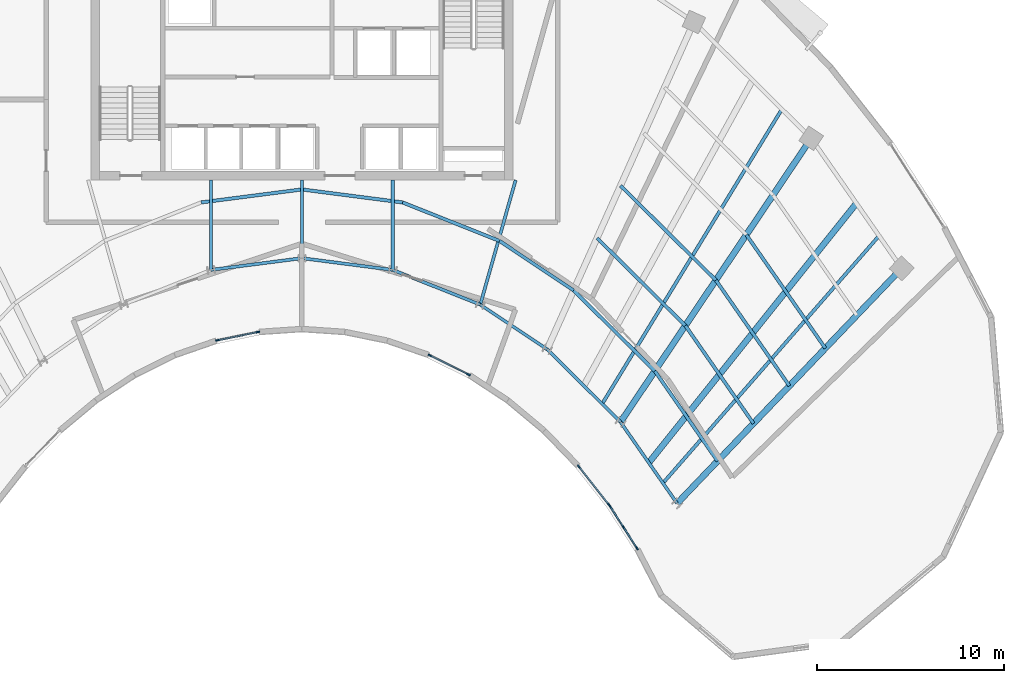
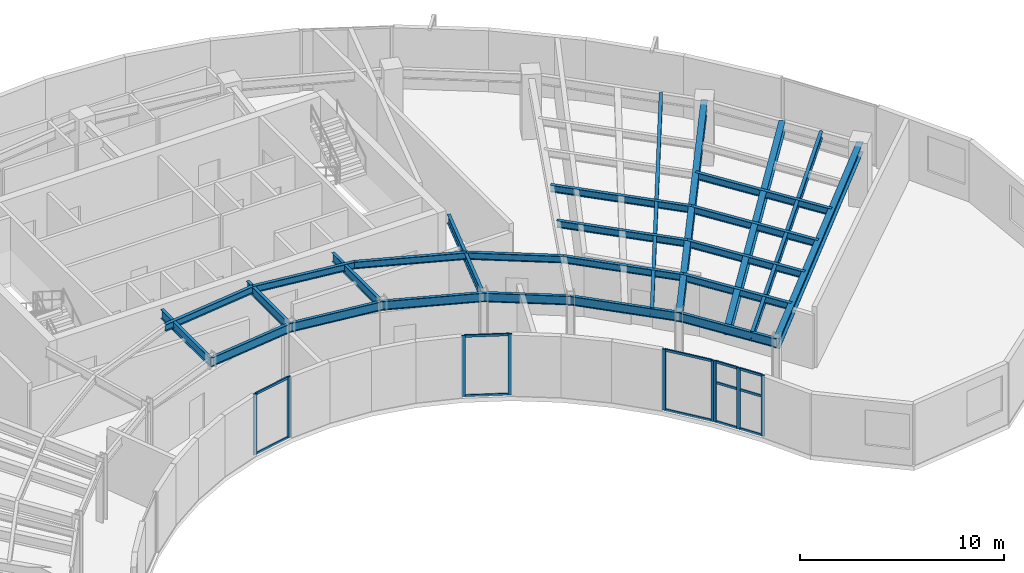
# One storey, part 3 of 13: 26 beams, 21 members, 4 elements without a shape of their own.
"""IFC4 building model written with IfcOpenShell, lengths in metres."""

from ifc_helpers import new_model, si_unit, direction, frame, origin, origin_2d, place, context, subcontext, project, spatial, rectangle, i_section, extrude, source, transform, mapped, material, layer, layer_set, material_profile, profile_set, type_object, type_shapes, element, aggregate, save


model = new_model("IFC4")

# Units and contexts
model_context = context("Model", 3, precision=1e-05, world=origin(), true_north=direction((0.0, 1.0)))
body_context = subcontext(model_context, "Body", "Model", "MODEL_VIEW")
ifc_project = project(units=[si_unit("LENGTHUNIT", "METRE"), si_unit("AREAUNIT", "SQUARE_METRE"), si_unit("VOLUMEUNIT", "CUBIC_METRE"), si_unit("PLANEANGLEUNIT", "RADIAN"), si_unit("MASSUNIT", "GRAM", prefix="KILO")], contexts=[model_context])

# Site, building, storey
site_placement = place(None, origin())
site = spatial("IfcSite", under=ifc_project, at=site_placement, CompositionType="ELEMENT")
building_placement = place(site_placement, origin())
building = spatial("IfcBuilding", under=site, at=building_placement, Name="Breltana Convention Tower", CompositionType="ELEMENT")
storey_placement = place(building_placement, frame((0.0, 0.0, 227.39990234375)))
storey = spatial("IfcBuildingStorey", under=building, at=storey_placement, Name="L55", CompositionType="ELEMENT", Elevation=227.39990234375)

# Beams
ifc_material_1 = material(Name="Steel ASTM A992 Grade 50", Category="steel")
ifc_material_profile_1 = material_profile(ifc_material_1, i_section(OverallWidth=0.179931640625, OverallDepth=0.4130859375, WebThickness=0.009765625, FlangeThickness=0.01611328125, at=origin_2d()), Name="W16X50")
ifc_profile_set_1 = profile_set([ifc_material_profile_1], Name="Steel ASTM A992 Grade 50")
beam_type_1 = type_object("IfcBeamType", Name="BM-JSG-08", PredefinedType="JOIST", material=ifc_profile_set_1)
shared_shape_1 = source(origin(), body_context, "Body", "SweptSolid", [
    extrude(i_section(OverallWidth=0.179931640625, OverallDepth=0.4130859375, WebThickness=0.009765625, FlangeThickness=0.01611328125, at=origin_2d()), origin(), (0.0, 0.0, 1.0), 18.409423828125),
])
beam_1_placement = place(storey_placement, frame((64.017333984375, 48.263916015625, 3.443603515625), z_axis=(0.520682167606, 0.853750596098, 0.0), x_axis=(-0.853750596098, 0.520682167606, 0.0)))
element("IfcBeam", 1, at=beam_1_placement, inside=storey, type_object=beam_type_1, Name="L55 Quarter-Bay Radial Trimmer 09", PredefinedType="JOIST", context=body_context, shape_type="MappedRepresentation", body=[
    mapped(shared_shape_1, transform((0.0, 0.0, 0.0), scale=1.0)),
])
ifc_material_profile_2 = material_profile(ifc_material_1, i_section(OverallWidth=0.323974609375, OverallDepth=0.611083984375, WebThickness=0.0126953125, FlangeThickness=0.01904296875, at=origin_2d()), Name="W24X104")
ifc_profile_set_2 = profile_set([ifc_material_profile_2], Name="Steel ASTM A992 Grade 50")
beam_type_2 = type_object("IfcBeamType", Name="BM-JSG-01", PredefinedType="JOIST", material=ifc_profile_set_2)
shared_shape_2 = source(origin(), body_context, "Body", "SweptSolid", [
    extrude(i_section(OverallWidth=0.323974609375, OverallDepth=0.611083984375, WebThickness=0.0126953125, FlangeThickness=0.01904296875, at=origin_2d()), origin(), (0.0, 0.0, 1.0), 17.7236328125),
])
beam_2_placement = place(storey_placement, frame((66.505615234375, 45.124267578125, 3.344482421875), z_axis=(0.624829427563, 0.78076128647, 0.0), x_axis=(-0.78076128647, 0.624829427563, 0.0)))
element("IfcBeam", 2, at=beam_2_placement, inside=storey, type_object=beam_type_2, Name="L55 Mid-Bay Radial Trimmer 10", PredefinedType="JOIST", context=body_context, shape_type="MappedRepresentation", body=[
    mapped(shared_shape_2, transform((0.0, 0.0, 0.0), scale=1.0)),
])
shared_shape_3 = source(origin(), body_context, "Body", "SweptSolid", [
    extrude(i_section(OverallWidth=0.179931640625, OverallDepth=0.4130859375, WebThickness=0.009765625, FlangeThickness=0.01611328125, at=origin_2d()), origin(), (0.0, 0.0, 1.0), 17.515625),
])
beam_3_placement = place(storey_placement, frame((67.260498046875, 44.03955078125, 3.443603515625), z_axis=(0.658051548324, 0.752972881151, 0.0), x_axis=(-0.752972881151, 0.658051548324, 0.0)))
element("IfcBeam", 3, at=beam_3_placement, inside=storey, type_object=beam_type_1, Name="L55 Quarter-Bay Radial Trimmer 10", PredefinedType="JOIST", context=body_context, shape_type="MappedRepresentation", body=[
    mapped(shared_shape_3, transform((0.0, 0.0, 0.0), scale=1.0)),
])
ifc_material_profile_3 = material_profile(ifc_material_1, i_section(OverallWidth=0.166015625, OverallDepth=0.534912109375, WebThickness=0.01025390625, FlangeThickness=0.0166015625, at=origin_2d()), Name="W21X57")
ifc_profile_set_3 = profile_set([ifc_material_profile_3], Name="Steel ASTM A992 Grade 50")
beam_type_3 = type_object("IfcBeamType", Name="BM-BM-W21X57", PredefinedType="BEAM", material=ifc_profile_set_3)
shared_shape_4 = source(origin(), body_context, "Body", "SweptSolid", [
    extrude(i_section(OverallWidth=0.166015625, OverallDepth=0.534912109375, WebThickness=0.01025390625, FlangeThickness=0.0166015625, at=origin_2d()), origin(), (0.0, 0.0, 1.0), 6.904541015625),
])
type_shapes(beam_type_3, [shared_shape_4])
beam_4_placement = place(storey_placement, frame((59.39990234375, 60.199951171875, 3.382568359375), z_axis=(-0.273006781054, -0.962012108811, 0.0), x_axis=(0.962012108811, -0.273006781054, 0.0)))
element("IfcBeam", 4, at=beam_4_placement, inside=storey, type_object=beam_type_3, Name="L55 South Core Tie Girder R08", PredefinedType="BEAM", context=body_context, shape_type="MappedRepresentation", body=[
    mapped(shared_shape_4, transform((0.0, 0.0, 0.0), scale=1.0)),
])
shared_shape_5 = source(origin(), body_context, "Body", "SweptSolid", [
    extrude(i_section(OverallWidth=0.166015625, OverallDepth=0.534912109375, WebThickness=0.01025390625, FlangeThickness=0.0166015625, at=origin_2d()), origin(), (0.0, 0.0, 1.0), 4.789306640625),
])
for number, where, z_axis, x_axis, name in (
    (5, (43.153564453125, 60.199951171875, 3.382568359375), (0.0, -1.0, 0.0), (1.0, 0.0, 0.0), "L55 South Core Tie Girder R05"),
    (6, (52.846435546875, 60.199951171875, 3.382568359375), (0.0, -1.0, 0.0), (1.0, 0.0, 0.0), "L55 South Core Tie Girder R07"),
):
    element("IfcBeam", number, at=place(storey_placement, frame(where, z_axis=z_axis, x_axis=x_axis)), inside=storey, type_object=beam_type_3, Name=name, PredefinedType="BEAM", context=body_context, shape_type="MappedRepresentation", body=[
        mapped(shared_shape_5, transform((0.0, 0.0, 0.0), scale=1.0)),
    ])
shared_shape_6 = source(origin(), body_context, "Body", "SweptSolid", [
    extrude(i_section(OverallWidth=0.166015625, OverallDepth=0.534912109375, WebThickness=0.01025390625, FlangeThickness=0.0166015625, at=origin_2d()), origin(), (0.0, 0.0, 1.0), 4.1640625),
])
beam_5_placement = place(storey_placement, frame((48.0, 60.199951171875, 3.382568359375), z_axis=(0.0, -1.0, 0.0), x_axis=(1.0, 0.0, 0.0)))
element("IfcBeam", 7, at=beam_5_placement, inside=storey, type_object=beam_type_3, Name="L55 South Core Tie Girder R06", PredefinedType="BEAM", context=body_context, shape_type="MappedRepresentation", body=[
    mapped(shared_shape_6, transform((0.0, 0.0, 0.0), scale=1.0)),
])
shared_shape_7 = source(origin(), body_context, "Body", "SweptSolid", [
    extrude(i_section(OverallWidth=0.166015625, OverallDepth=0.534912109375, WebThickness=0.01025390625, FlangeThickness=0.0166015625, at=origin_2d()), origin(), (0.0, 0.0, 1.0), 5.022705078125),
])
beam_6_placement = place(storey_placement, frame((52.846435546875, 55.41064453125, 3.382568359375), z_axis=(0.929458966248, -0.368925507469, 0.0), x_axis=(0.368925507469, 0.929458966248, 0.0)))
element("IfcBeam", 8, at=beam_6_placement, inside=storey, type_object=beam_type_3, Name="L55 Inner Ring Beam 07", PredefinedType="BEAM", context=body_context, shape_type="MappedRepresentation", body=[
    mapped(shared_shape_7, transform((0.0, 0.0, 0.0), scale=1.0)),
])
shared_shape_8 = source(origin(), body_context, "Body", "SweptSolid", [
    extrude(i_section(OverallWidth=0.166015625, OverallDepth=0.534912109375, WebThickness=0.01025390625, FlangeThickness=0.0166015625, at=origin_2d()), origin(), (0.0, 0.0, 1.0), 4.88671875),
])
for number, where, z_axis, x_axis, name in (
    (9, (43.153564453125, 55.41064453125, 3.382568359375), (0.991780525565, 0.127950729231, 0.0), (-0.127950729231, 0.991780525565, 0.0), "L55 Inner Ring Beam 05"),
    (10, (48.0, 56.035888671875, 3.382568359375), (0.991780525565, -0.127950729231, 0.0), (0.127950729231, 0.991780525565, 0.0), "L55 Inner Ring Beam 06"),
):
    element("IfcBeam", number, at=place(storey_placement, frame(where, z_axis=z_axis, x_axis=x_axis)), inside=storey, type_object=beam_type_3, Name=name, PredefinedType="BEAM", context=body_context, shape_type="MappedRepresentation", body=[
        mapped(shared_shape_8, transform((0.0, 0.0, 0.0), scale=1.0)),
    ])
shared_shape_9 = source(origin(), body_context, "Body", "SweptSolid", [
    extrude(i_section(OverallWidth=0.166015625, OverallDepth=0.534912109375, WebThickness=0.01025390625, FlangeThickness=0.0166015625, at=origin_2d()), origin(), (0.0, 0.0, 1.0), 4.2900390625),
])
beam_7_placement = place(storey_placement, frame((57.514892578125, 53.5576171875, 3.382568359375), z_axis=(0.831515827753, -0.555501060482, 0.0), x_axis=(0.555501060482, 0.831515827753, 0.0)))
element("IfcBeam", 11, at=beam_7_placement, inside=storey, type_object=beam_type_3, Name="L55 Inner Ring Beam 08", PredefinedType="BEAM", context=body_context, shape_type="MappedRepresentation", body=[
    mapped(shared_shape_9, transform((0.0, 0.0, 0.0), scale=1.0)),
])
shared_shape_10 = source(origin(), body_context, "Body", "SweptSolid", [
    extrude(i_section(OverallWidth=0.166015625, OverallDepth=0.534912109375, WebThickness=0.01025390625, FlangeThickness=0.0166015625, at=origin_2d()), origin(), (0.0, 0.0, 1.0), 5.51171875),
])
beam_8_placement = place(storey_placement, frame((61.08203125, 51.174560546875, 3.382568359375), z_axis=(0.710090360749, -0.704110559196, 0.0), x_axis=(0.704110559196, 0.710090360749, 0.0)))
element("IfcBeam", 12, at=beam_8_placement, inside=storey, type_object=beam_type_3, Name="L55 Inner Ring Beam 09", PredefinedType="BEAM", context=body_context, shape_type="MappedRepresentation", body=[
    mapped(shared_shape_10, transform((0.0, 0.0, 0.0), scale=1.0)),
])
shared_shape_11 = source(origin(), body_context, "Body", "SweptSolid", [
    extrude(i_section(OverallWidth=0.166015625, OverallDepth=0.534912109375, WebThickness=0.01025390625, FlangeThickness=0.0166015625, at=origin_2d()), origin(), (0.0, 0.0, 1.0), 5.286376953125),
])
beam_9_placement = place(storey_placement, frame((64.995849609375, 47.293701171875, 3.382568359375), z_axis=(0.571194382458, -0.82081482531, 0.0), x_axis=(0.82081482531, 0.571194382458, 0.0)))
element("IfcBeam", 13, at=beam_9_placement, inside=storey, type_object=beam_type_3, Name="L55 Inner Ring Beam 10", PredefinedType="BEAM", context=body_context, shape_type="MappedRepresentation", body=[
    mapped(shared_shape_11, transform((0.0, 0.0, 0.0), scale=1.0)),
])
ifc_material_profile_4 = material_profile(ifc_material_1, i_section(OverallWidth=0.326904296875, OverallDepth=0.6220703125, WebThickness=0.015380859375, FlangeThickness=0.0244140625, at=origin_2d()), Name="W24X131")
ifc_profile_set_4 = profile_set([ifc_material_profile_4], Name="Steel ASTM A992 Grade 50")
beam_type_4 = type_object("IfcBeamType", Name="BM-RG-W24X131", PredefinedType="USERDEFINED", material=ifc_profile_set_4)
shared_shape_12 = source(origin(), body_context, "Body", "SweptSolid", [
    extrude(i_section(OverallWidth=0.326904296875, OverallDepth=0.6220703125, WebThickness=0.015380859375, FlangeThickness=0.0244140625, at=origin_2d()), origin(), (0.0, 0.0, 1.0), 17.341064453125),
])
type_shapes(beam_type_4, [shared_shape_12])
beam_10_placement = place(storey_placement, frame((68.015380859375, 42.95458984375, 3.339111328125), z_axis=(0.690716462293, 0.723125693581, 0.0), x_axis=(-0.723125693581, 0.690716462293, 0.0)))
element("IfcBeam", 14, at=beam_10_placement, inside=storey, type_object=beam_type_4, Name="L55 Radial Floor Girder R11", ObjectType="GIRDER", PredefinedType="USERDEFINED", context=body_context, shape_type="MappedRepresentation", body=[
    mapped(shared_shape_12, transform((0.0, 0.0, 0.0), scale=1.0)),
])
shared_shape_13 = source(origin(), body_context, "Body", "SweptSolid", [
    extrude(i_section(OverallWidth=0.326904296875, OverallDepth=0.6220703125, WebThickness=0.015380859375, FlangeThickness=0.0244140625, at=origin_2d()), origin(), (0.0, 0.0, 1.0), 18.236328125),
])
beam_11_placement = place(storey_placement, frame((64.995849609375, 47.293701171875, 3.339111328125), z_axis=(0.557730360975, 0.830022195153, 0.0), x_axis=(-0.830022195153, 0.557730360975, 0.0)))
element("IfcBeam", 15, at=beam_11_placement, inside=storey, type_object=beam_type_4, Name="L55 Radial Floor Girder R10", ObjectType="GIRDER", PredefinedType="USERDEFINED", context=body_context, shape_type="MappedRepresentation", body=[
    mapped(shared_shape_13, transform((0.0, 0.0, 0.0), scale=1.0)),
])
shared_shape_14 = source(origin(), body_context, "Body", "SweptSolid", [
    extrude(i_section(OverallWidth=0.179931640625, OverallDepth=0.4130859375, WebThickness=0.009765625, FlangeThickness=0.01611328125, at=origin_2d()), origin(), (0.0, 0.0, 1.0), 5.563720703125),
])
beam_12_placement = place(storey_placement, frame((53.36865234375, 59.009521484375, 3.443603515625), z_axis=(0.929447960386, -0.368953234074, 0.0), x_axis=(0.368953234074, 0.929447960386, 0.0)))
element("IfcBeam", 16, at=beam_12_placement, inside=storey, type_object=beam_type_1, Name="L55 Composite Floor Joist 07.1", PredefinedType="JOIST", context=body_context, shape_type="MappedRepresentation", body=[
    mapped(shared_shape_14, transform((0.0, 0.0, 0.0), scale=1.0)),
])
shared_shape_15 = source(origin(), body_context, "Body", "SweptSolid", [
    extrude(i_section(OverallWidth=0.179931640625, OverallDepth=0.4130859375, WebThickness=0.009765625, FlangeThickness=0.01611328125, at=origin_2d()), origin(), (0.0, 0.0, 1.0), 5.4130859375),
])
for number, where, z_axis, x_axis, name in (
    (17, (42.63134765625, 59.009521484375, 3.443603515625), (0.991780266945, 0.127952733848, 0.0), (-0.127952733848, 0.991780266945, 0.0), "L55 Composite Floor Joist 05.1"),
    (18, (48.0, 59.7021484375, 3.443603515625), (0.991780266945, -0.127952733848, 0.0), (0.127952733848, 0.991780266945, 0.0), "L55 Composite Floor Joist 06.1"),
):
    element("IfcBeam", number, at=place(storey_placement, frame(where, z_axis=z_axis, x_axis=x_axis)), inside=storey, type_object=beam_type_1, Name=name, PredefinedType="JOIST", context=body_context, shape_type="MappedRepresentation", body=[
        mapped(shared_shape_15, transform((0.0, 0.0, 0.0), scale=1.0)),
    ])
shared_shape_16 = source(origin(), body_context, "Body", "SweptSolid", [
    extrude(i_section(OverallWidth=0.179931640625, OverallDepth=0.4130859375, WebThickness=0.009765625, FlangeThickness=0.01611328125, at=origin_2d()), origin(), (0.0, 0.0, 1.0), 4.751953125),
])
beam_13_placement = place(storey_placement, frame((58.539794921875, 56.956787109375, 3.443603515625), z_axis=(0.831528257555, -0.555482454167, 0.0), x_axis=(0.555482454167, 0.831528257555, 0.0)))
element("IfcBeam", 19, at=beam_13_placement, inside=storey, type_object=beam_type_1, Name="L55 Composite Floor Joist 08.1", PredefinedType="JOIST", context=body_context, shape_type="MappedRepresentation", body=[
    mapped(shared_shape_16, transform((0.0, 0.0, 0.0), scale=1.0)),
])
shared_shape_17 = source(origin(), body_context, "Body", "SweptSolid", [
    extrude(i_section(OverallWidth=0.179931640625, OverallDepth=0.4130859375, WebThickness=0.009765625, FlangeThickness=0.01611328125, at=origin_2d()), origin(), (0.0, 0.0, 1.0), 6.10546875),
])
beam_14_placement = place(storey_placement, frame((62.4912109375, 54.317138671875, 3.443603515625), z_axis=(0.710099489834, -0.704101352461, 0.0), x_axis=(0.704101352461, 0.710099489834, 0.0)))
element("IfcBeam", 20, at=beam_14_placement, inside=storey, type_object=beam_type_1, Name="L55 Composite Floor Joist 09.1", PredefinedType="JOIST", context=body_context, shape_type="MappedRepresentation", body=[
    mapped(shared_shape_17, transform((0.0, 0.0, 0.0), scale=1.0)),
])
shared_shape_18 = source(origin(), body_context, "Body", "SweptSolid", [
    extrude(i_section(OverallWidth=0.179931640625, OverallDepth=0.4130859375, WebThickness=0.009765625, FlangeThickness=0.01611328125, at=origin_2d()), origin(), (0.0, 0.0, 1.0), 6.63330078125),
])
beam_15_placement = place(storey_placement, frame((63.74365234375, 57.110595703125, 3.443603515625), z_axis=(0.710118361949, -0.704082319067, 0.0), x_axis=(0.704082319067, 0.710118361949, 0.0)))
element("IfcBeam", 21, at=beam_15_placement, inside=storey, type_object=beam_type_1, Name="L55 Composite Floor Joist 09.2", PredefinedType="JOIST", context=body_context, shape_type="MappedRepresentation", body=[
    mapped(shared_shape_18, transform((0.0, 0.0, 0.0), scale=1.0)),
])
shared_shape_19 = source(origin(), body_context, "Body", "SweptSolid", [
    extrude(i_section(OverallWidth=0.179931640625, OverallDepth=0.4130859375, WebThickness=0.009765625, FlangeThickness=0.01611328125, at=origin_2d()), origin(), (0.0, 0.0, 1.0), 7.160888671875),
])
beam_16_placement = place(storey_placement, frame((64.996337890625, 59.90380859375, 3.443603515625), z_axis=(0.71010064941, -0.704100183005, 0.0), x_axis=(0.704100183005, 0.71010064941, 0.0)))
element("IfcBeam", 22, at=beam_16_placement, inside=storey, type_object=beam_type_1, Name="L55 Composite Floor Joist 09.3", PredefinedType="JOIST", context=body_context, shape_type="MappedRepresentation", body=[
    mapped(shared_shape_19, transform((0.0, 0.0, 0.0), scale=1.0)),
])
shared_shape_20 = source(origin(), body_context, "Body", "SweptSolid", [
    extrude(i_section(OverallWidth=0.179931640625, OverallDepth=0.4130859375, WebThickness=0.009765625, FlangeThickness=0.01611328125, at=origin_2d()), origin(), (0.0, 0.0, 1.0), 5.855712890625),
])
beam_17_placement = place(storey_placement, frame((66.82666015625, 50.018310546875, 3.443603515625), z_axis=(0.571196411819, -0.8208134131, 0.0), x_axis=(0.8208134131, 0.571196411819, 0.0)))
element("IfcBeam", 23, at=beam_17_placement, inside=storey, type_object=beam_type_1, Name="L55 Composite Floor Joist 10.1", PredefinedType="JOIST", context=body_context, shape_type="MappedRepresentation", body=[
    mapped(shared_shape_20, transform((0.0, 0.0, 0.0), scale=1.0)),
])
shared_shape_21 = source(origin(), body_context, "Body", "SweptSolid", [
    extrude(i_section(OverallWidth=0.179931640625, OverallDepth=0.4130859375, WebThickness=0.009765625, FlangeThickness=0.01611328125, at=origin_2d()), origin(), (0.0, 0.0, 1.0), 6.36181640625),
])
beam_18_placement = place(storey_placement, frame((68.4541015625, 52.440185546875, 3.443603515625), z_axis=(0.5711859158, -0.820820717082, 0.0), x_axis=(0.820820717082, 0.5711859158, 0.0)))
element("IfcBeam", 24, at=beam_18_placement, inside=storey, type_object=beam_type_1, Name="L55 Composite Floor Joist 10.2", PredefinedType="JOIST", context=body_context, shape_type="MappedRepresentation", body=[
    mapped(shared_shape_21, transform((0.0, 0.0, 0.0), scale=1.0)),
])
shared_shape_22 = source(origin(), body_context, "Body", "SweptSolid", [
    extrude(i_section(OverallWidth=0.179931640625, OverallDepth=0.4130859375, WebThickness=0.009765625, FlangeThickness=0.01611328125, at=origin_2d()), origin(), (0.0, 0.0, 1.0), 6.867919921875),
])
beam_19_placement = place(storey_placement, frame((70.081298828125, 54.86181640625, 3.443603515625), z_axis=(0.571217582863, -0.820798679962, 0.0), x_axis=(0.820798679962, 0.571217582863, 0.0)))
element("IfcBeam", 25, at=beam_19_placement, inside=storey, type_object=beam_type_1, Name="L55 Composite Floor Joist 10.3", PredefinedType="JOIST", context=body_context, shape_type="MappedRepresentation", body=[
    mapped(shared_shape_22, transform((0.0, 0.0, 0.0), scale=1.0)),
])
shared_shape_23 = source(origin(), body_context, "Body", "SweptSolid", [
    extrude(i_section(OverallWidth=0.179931640625, OverallDepth=0.4130859375, WebThickness=0.009765625, FlangeThickness=0.01611328125, at=origin_2d()), origin(), (0.0, 0.0, 1.0), 7.374267578125),
])
beam_20_placement = place(storey_placement, frame((71.70849609375, 57.28369140625, 3.443603515625), z_axis=(0.571229379406, -0.820790470281, 0.0), x_axis=(0.820790470281, 0.571229379406, 0.0)))
element("IfcBeam", 26, at=beam_20_placement, inside=storey, type_object=beam_type_1, Name="L55 Composite Floor Joist 10.4", PredefinedType="JOIST", context=body_context, shape_type="MappedRepresentation", body=[
    mapped(shared_shape_23, transform((0.0, 0.0, 0.0), scale=1.0)),
])

# Curtain wall, members
ifc_material_2 = material(Name="Aluminium Anodised Bronze Frame", Category="aluminium")
ifc_layer = layer(ifc_material_2, 0.18994140625, Name="Aluminium Anodised Bronze Frame")
ifc_layer_set = layer_set([ifc_layer], Name="Aluminium Anodised Bronze Frame")
curtain_wall_type = type_object("IfcCurtainWallType", Name="CW-SYS-1", PredefinedType="NOTDEFINED", material=ifc_layer_set)
curtain_wall_1_placement = place(storey_placement, origin())
curtain_wall_1 = element("IfcCurtainWall", 27, at=curtain_wall_1_placement, inside=storey, type_object=curtain_wall_type, Name="L55 inner south-court glazing 1", PredefinedType="NOTDEFINED")
ifc_material_3 = material(Name="Aluminium Anodised Bronze", Category="aluminium")
ifc_material_profile_5 = material_profile(ifc_material_3, rectangle(XDim=0.080078125, YDim=0.199951171875, at=origin_2d()), Name="CWM-80X200")
ifc_profile_set_5 = profile_set([ifc_material_profile_5], Name="Aluminium Anodised Bronze")
member_type_1 = type_object("IfcMemberType", Name="CWM-200", PredefinedType="MULLION", material=ifc_profile_set_5)
shared_shape_24 = source(origin(), body_context, "Body", "SweptSolid", [
    extrude(rectangle(XDim=0.080078125, YDim=0.199951171875, at=origin_2d()), origin(), (0.0, 0.0, 1.0), 3.650146484375),
])
member_1_placement = place(storey_placement, frame((65.868896484375, 40.56884765625, 0.0), z_axis=(0.0, 0.0, 1.0), x_axis=(-0.841546766968, -0.540184263938, 0.0)))
member_1 = element("IfcMember", 28, at=member_1_placement, type_object=member_type_1, Name="CW-01 mullion 1", PredefinedType="MULLION", context=body_context, shape_type="MappedRepresentation", body=[
    mapped(shared_shape_24, transform((0.0, 0.0, 0.0), scale=1.0)),
])
member_2_placement = place(storey_placement, frame((65.14990234375, 41.689208984375, 0.0), z_axis=(0.0, 0.0, 1.0), x_axis=(-0.841546766968, -0.540184263938, 0.0)))
member_2 = element("IfcMember", 29, at=member_2_placement, type_object=member_type_1, Name="CW-01 mullion 2", PredefinedType="MULLION", context=body_context, shape_type="MappedRepresentation", body=[
    mapped(shared_shape_24, transform((0.0, 0.0, 0.0), scale=1.0)),
])
member_3_placement = place(storey_placement, frame((64.430908203125, 42.809326171875, 0.0), z_axis=(0.0, 0.0, 1.0), x_axis=(-0.841546766968, -0.540184263938, 0.0)))
member_3 = element("IfcMember", 30, at=member_3_placement, type_object=member_type_1, Name="CW-01 mullion 3", PredefinedType="MULLION", context=body_context, shape_type="MappedRepresentation", body=[
    mapped(shared_shape_24, transform((0.0, 0.0, 0.0), scale=1.0)),
])

curtain_wall_2_placement = place(storey_placement, origin())
curtain_wall_2 = element("IfcCurtainWall", 31, at=curtain_wall_2_placement, inside=storey, type_object=curtain_wall_type, Name="L55 inner south-court glazing 2", PredefinedType="NOTDEFINED")
member_4_placement = place(storey_placement, frame((64.37451171875, 42.888427734375, 0.0), z_axis=(0.0, 0.0, 1.0), x_axis=(-0.786060526937, -0.6181495353, 0.0)))
member_4 = element("IfcMember", 32, at=member_4_placement, type_object=member_type_1, Name="CW-01 mullion 1", PredefinedType="MULLION", context=body_context, shape_type="MappedRepresentation", body=[
    mapped(shared_shape_24, transform((0.0, 0.0, 0.0), scale=1.0)),
])
member_5_placement = place(storey_placement, frame((62.776123046875, 44.921142578125, 0.0), z_axis=(0.0, 0.0, 1.0), x_axis=(-0.786060526937, -0.6181495353, 0.0)))
member_5 = element("IfcMember", 33, at=member_5_placement, type_object=member_type_1, Name="CW-01 mullion 2", PredefinedType="MULLION", context=body_context, shape_type="MappedRepresentation", body=[
    mapped(shared_shape_24, transform((0.0, 0.0, 0.0), scale=1.0)),
])

curtain_wall_3_placement = place(storey_placement, origin())
curtain_wall_3 = element("IfcCurtainWall", 34, at=curtain_wall_3_placement, inside=storey, type_object=curtain_wall_type, Name="L55 inner south-court glazing 3", PredefinedType="NOTDEFINED")
member_6_placement = place(storey_placement, frame((56.88818359375, 49.829345703125, 0.0), z_axis=(0.0, 0.0, 1.0), x_axis=(-0.444132591932, -0.89596107102, 0.0)))
member_6 = element("IfcMember", 35, at=member_6_placement, type_object=member_type_1, Name="CW-01 mullion 1", PredefinedType="MULLION", context=body_context, shape_type="MappedRepresentation", body=[
    mapped(shared_shape_24, transform((0.0, 0.0, 0.0), scale=1.0)),
])
member_7_placement = place(storey_placement, frame((54.829345703125, 50.849853515625, 0.0), z_axis=(0.0, 0.0, 1.0), x_axis=(-0.444132591932, -0.89596107102, 0.0)))
member_7 = element("IfcMember", 36, at=member_7_placement, type_object=member_type_1, Name="CW-01 mullion 2", PredefinedType="MULLION", context=body_context, shape_type="MappedRepresentation", body=[
    mapped(shared_shape_24, transform((0.0, 0.0, 0.0), scale=1.0)),
])

curtain_wall_4_placement = place(storey_placement, origin())
curtain_wall_4 = element("IfcCurtainWall", 37, at=curtain_wall_4_placement, inside=storey, type_object=curtain_wall_type, Name="L55 inner south-court glazing 4", PredefinedType="NOTDEFINED")
member_8_placement = place(storey_placement, frame((45.656005859375, 52.09716796875, 0.0), z_axis=(0.0, 0.0, 1.0), x_axis=(0.200853973352, -0.979621192803, 0.0)))
member_8 = element("IfcMember", 38, at=member_8_placement, type_object=member_type_1, Name="CW-01 mullion 1", PredefinedType="MULLION", context=body_context, shape_type="MappedRepresentation", body=[
    mapped(shared_shape_24, transform((0.0, 0.0, 0.0), scale=1.0)),
])
member_9_placement = place(storey_placement, frame((43.48876953125, 51.65283203125, 0.0), z_axis=(0.0, 0.0, 1.0), x_axis=(0.200853973352, -0.979621192803, 0.0)))
member_9 = element("IfcMember", 39, at=member_9_placement, type_object=member_type_1, Name="CW-01 mullion 2", PredefinedType="MULLION", context=body_context, shape_type="MappedRepresentation", body=[
    mapped(shared_shape_24, transform((0.0, 0.0, 0.0), scale=1.0)),
])

# Member
ifc_material_profile_6 = material_profile(ifc_material_3, rectangle(XDim=0.080078125, YDim=0.139892578125, at=origin_2d()), Name="CWT-80X140")
ifc_profile_set_6 = profile_set([ifc_material_profile_6], Name="Aluminium Anodised Bronze")
member_type_2 = type_object("IfcMemberType", Name="CWT-140", PredefinedType="USERDEFINED", material=ifc_profile_set_6)
shared_shape_25 = source(origin(), body_context, "Body", "SweptSolid", [
    extrude(rectangle(XDim=0.080078125, YDim=0.139892578125, at=origin_2d()), origin(), (0.0, 0.0, 1.0), 1.251220703125),
])
member_10_placement = place(storey_placement, frame((65.84716796875, 40.6025390625, 0.0400390625), z_axis=(-0.540116397582, 0.841590326146, 0.0), x_axis=(-0.841590326146, -0.540116397582, 0.0)))
member_10 = element("IfcMember", 40, at=member_10_placement, type_object=member_type_2, Name="CW-01 transom 1.1", ObjectType="TRANSOM", PredefinedType="USERDEFINED", context=body_context, shape_type="MappedRepresentation", body=[
    mapped(shared_shape_25, transform((0.0, 0.0, 0.0), scale=1.0)),
])

member_11_placement = place(storey_placement, frame((65.84716796875, 40.6025390625, 2.37255859375), z_axis=(-0.540116397582, 0.841590326146, 0.0), x_axis=(-0.841590326146, -0.540116397582, 0.0)))
member_11 = element("IfcMember", 41, at=member_11_placement, type_object=member_type_2, Name="CW-01 transom 1.2", ObjectType="TRANSOM", PredefinedType="USERDEFINED", context=body_context, shape_type="MappedRepresentation", body=[
    mapped(shared_shape_25, transform((0.0, 0.0, 0.0), scale=1.0)),
])

member_12_placement = place(storey_placement, frame((65.84716796875, 40.6025390625, 3.610107421875), z_axis=(-0.540116397582, 0.841590326146, 0.0), x_axis=(-0.841590326146, -0.540116397582, 0.0)))
member_12 = element("IfcMember", 42, at=member_12_placement, type_object=member_type_2, Name="CW-01 transom 1.3", ObjectType="TRANSOM", PredefinedType="USERDEFINED", context=body_context, shape_type="MappedRepresentation", body=[
    mapped(shared_shape_25, transform((0.0, 0.0, 0.0), scale=1.0)),
])

shared_shape_26 = source(origin(), body_context, "Body", "SweptSolid", [
    extrude(rectangle(XDim=0.080078125, YDim=0.139892578125, at=origin_2d()), origin(), (0.0, 0.0, 1.0), 1.2509765625),
])
member_13_placement = place(storey_placement, frame((65.128173828125, 41.722900390625, 0.0400390625), z_axis=(-0.54020510624, 0.841533388044, 0.0), x_axis=(-0.841533388044, -0.54020510624, 0.0)))
member_13 = element("IfcMember", 43, at=member_13_placement, type_object=member_type_2, Name="CW-01 transom 2.1", ObjectType="TRANSOM", PredefinedType="USERDEFINED", context=body_context, shape_type="MappedRepresentation", body=[
    mapped(shared_shape_26, transform((0.0, 0.0, 0.0), scale=1.0)),
])

member_14_placement = place(storey_placement, frame((65.128173828125, 41.722900390625, 2.37255859375), z_axis=(-0.54020510624, 0.841533388044, 0.0), x_axis=(-0.841533388044, -0.54020510624, 0.0)))
member_14 = element("IfcMember", 44, at=member_14_placement, type_object=member_type_2, Name="CW-01 transom 2.2", ObjectType="TRANSOM", PredefinedType="USERDEFINED", context=body_context, shape_type="MappedRepresentation", body=[
    mapped(shared_shape_26, transform((0.0, 0.0, 0.0), scale=1.0)),
])

member_15_placement = place(storey_placement, frame((65.128173828125, 41.722900390625, 3.610107421875), z_axis=(-0.54020510624, 0.841533388044, 0.0), x_axis=(-0.841533388044, -0.54020510624, 0.0)))
member_15 = element("IfcMember", 45, at=member_15_placement, type_object=member_type_2, Name="CW-01 transom 2.3", ObjectType="TRANSOM", PredefinedType="USERDEFINED", context=body_context, shape_type="MappedRepresentation", body=[
    mapped(shared_shape_26, transform((0.0, 0.0, 0.0), scale=1.0)),
])

aggregate(curtain_wall_1, [member_1, member_2, member_3, member_10, member_11, member_12, member_13, member_14, member_15])

shared_shape_27 = source(origin(), body_context, "Body", "SweptSolid", [
    extrude(rectangle(XDim=0.080078125, YDim=0.139892578125, at=origin_2d()), origin(), (0.0, 0.0, 1.0), 2.505859375),
])
member_16_placement = place(storey_placement, frame((64.349853515625, 42.919921875, 0.0400390625), z_axis=(-0.618174316854, 0.786041038357, 0.0), x_axis=(-0.786041038357, -0.618174316854, 0.0)))
member_16 = element("IfcMember", 46, at=member_16_placement, type_object=member_type_2, Name="CW-01 transom 1.1", ObjectType="TRANSOM", PredefinedType="USERDEFINED", context=body_context, shape_type="MappedRepresentation", body=[
    mapped(shared_shape_27, transform((0.0, 0.0, 0.0), scale=1.0)),
])

member_17_placement = place(storey_placement, frame((64.349853515625, 42.919921875, 3.610107421875), z_axis=(-0.618174316854, 0.786041038357, 0.0), x_axis=(-0.786041038357, -0.618174316854, 0.0)))
member_17 = element("IfcMember", 47, at=member_17_placement, type_object=member_type_2, Name="CW-01 transom 1.2", ObjectType="TRANSOM", PredefinedType="USERDEFINED", context=body_context, shape_type="MappedRepresentation", body=[
    mapped(shared_shape_27, transform((0.0, 0.0, 0.0), scale=1.0)),
])

aggregate(curtain_wall_2, [member_4, member_5, member_16, member_17])

shared_shape_28 = source(origin(), body_context, "Body", "SweptSolid", [
    extrude(rectangle(XDim=0.080078125, YDim=0.139892578125, at=origin_2d()), origin(), (0.0, 0.0, 1.0), 2.218017578125),
])
member_18_placement = place(storey_placement, frame((56.852294921875, 49.84716796875, 0.0400390625), z_axis=(-0.895962849302, 0.444129004537, 0.0), x_axis=(-0.444129004537, -0.895962849302, 0.0)))
member_18 = element("IfcMember", 48, at=member_18_placement, type_object=member_type_2, Name="CW-01 transom 1.1", ObjectType="TRANSOM", PredefinedType="USERDEFINED", context=body_context, shape_type="MappedRepresentation", body=[
    mapped(shared_shape_28, transform((0.0, 0.0, 0.0), scale=1.0)),
])

member_19_placement = place(storey_placement, frame((56.852294921875, 49.84716796875, 3.610107421875), z_axis=(-0.895962849302, 0.444129004537, 0.0), x_axis=(-0.444129004537, -0.895962849302, 0.0)))
member_19 = element("IfcMember", 49, at=member_19_placement, type_object=member_type_2, Name="CW-01 transom 1.2", ObjectType="TRANSOM", PredefinedType="USERDEFINED", context=body_context, shape_type="MappedRepresentation", body=[
    mapped(shared_shape_28, transform((0.0, 0.0, 0.0), scale=1.0)),
])

aggregate(curtain_wall_3, [member_6, member_7, member_18, member_19])

shared_shape_29 = source(origin(), body_context, "Body", "SweptSolid", [
    extrude(rectangle(XDim=0.080078125, YDim=0.139892578125, at=origin_2d()), origin(), (0.0, 0.0, 1.0), 2.132080078125),
])
member_20_placement = place(storey_placement, frame((45.61669921875, 52.089111328125, 0.0400390625), z_axis=(-0.97962234667, -0.200848345536, 0.0), x_axis=(0.200848345536, -0.97962234667, 0.0)))
member_20 = element("IfcMember", 50, at=member_20_placement, type_object=member_type_2, Name="CW-01 transom 1.1", ObjectType="TRANSOM", PredefinedType="USERDEFINED", context=body_context, shape_type="MappedRepresentation", body=[
    mapped(shared_shape_29, transform((0.0, 0.0, 0.0), scale=1.0)),
])

member_21_placement = place(storey_placement, frame((45.61669921875, 52.089111328125, 3.610107421875), z_axis=(-0.97962234667, -0.200848345536, 0.0), x_axis=(0.200848345536, -0.97962234667, 0.0)))
member_21 = element("IfcMember", 51, at=member_21_placement, type_object=member_type_2, Name="CW-01 transom 1.2", ObjectType="TRANSOM", PredefinedType="USERDEFINED", context=body_context, shape_type="MappedRepresentation", body=[
    mapped(shared_shape_29, transform((0.0, 0.0, 0.0), scale=1.0)),
])

aggregate(curtain_wall_4, [member_8, member_9, member_20, member_21])

save(model, "model.ifc")
